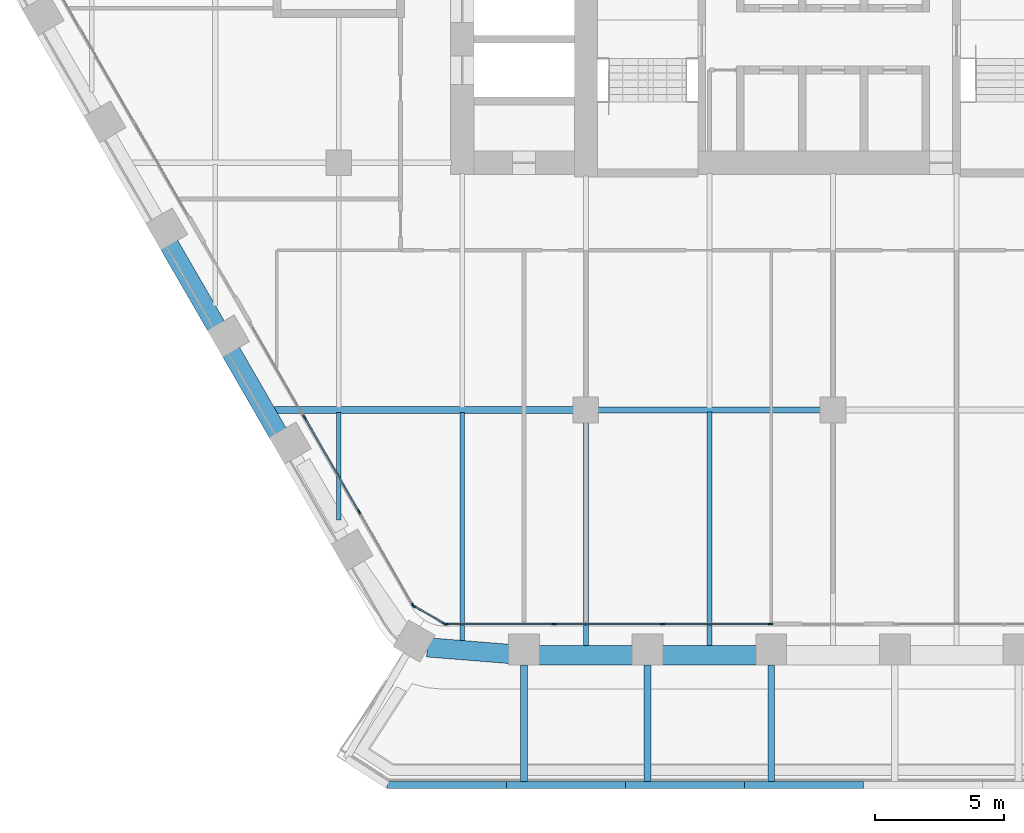
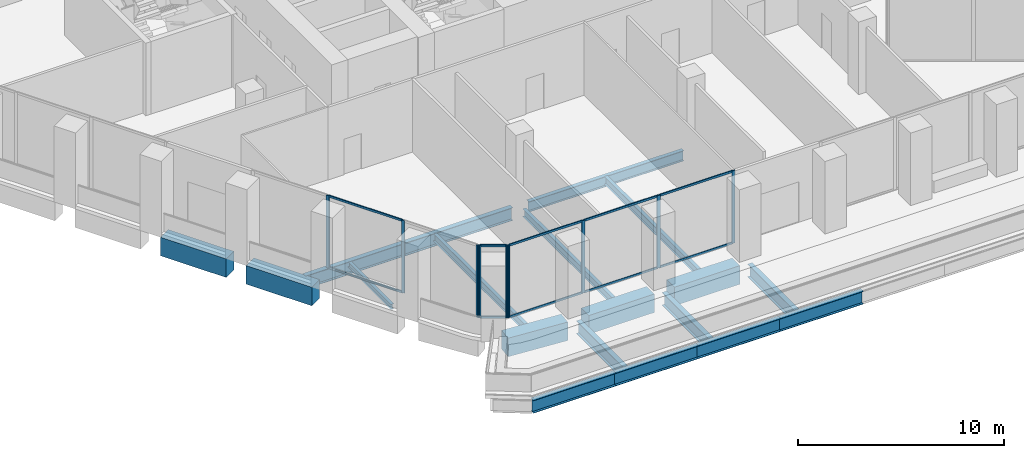
# One storey, part 2 of 25: 19 members, 18 beams, 3 elements without a shape of their own.
"""IFC4 building model written with IfcOpenShell, lengths in metres."""

from ifc_helpers import new_model, si_unit, direction, frame, origin, origin_2d, place, context, subcontext, project, spatial, rectangle, i_section, extrude, material, material_profile, profile_set, type_object, element, aggregate, save


model = new_model("IFC4")

# Units and contexts
model_context = context("Model", 3, precision=1e-05, world=origin(), true_north=direction((0.0, 1.0)))
body_context = subcontext(model_context, "Body", "Model", "MODEL_VIEW")
ifc_project = project(units=[si_unit("LENGTHUNIT", "METRE"), si_unit("AREAUNIT", "SQUARE_METRE"), si_unit("VOLUMEUNIT", "CUBIC_METRE"), si_unit("PLANEANGLEUNIT", "RADIAN"), si_unit("MASSUNIT", "GRAM", prefix="KILO")], contexts=[model_context])

# Site, building, storey
site_placement = place(None, origin())
site = spatial("IfcSite", under=ifc_project, at=site_placement, CompositionType="ELEMENT")
building_placement = place(site_placement, origin())
building = spatial("IfcBuilding", under=site, at=building_placement, Name="Kolab Exchange Tower", CompositionType="ELEMENT")
storey_placement = place(building_placement, frame((0.0, 0.0, 91.39990234375)))
storey = spatial("IfcBuildingStorey", under=building, at=storey_placement, Name="L17", CompositionType="ELEMENT", Elevation=91.39990234375)

# Beams
ifc_material_1 = material(Name="Steel S355", Category="steel")
ifc_material_profile_1 = material_profile(ifc_material_1, i_section(OverallWidth=0.1650390625, OverallDepth=0.31005859375, WebThickness=0.005859375, FlangeThickness=0.009765625, at=origin_2d()), Name="W310X39")
ifc_profile_set_1 = profile_set([ifc_material_profile_1], Name="Steel S355")
beam_type_1 = type_object("IfcBeamType", Name="FLOOR BEAM W310X39", PredefinedType="BEAM", material=ifc_profile_set_1)
beam_1_placement = place(storey_placement, frame((-19.199951171875, -23.4814453125, -0.35498046875), z_axis=(0.0, 1.0, 0.0), x_axis=(-1.0, 0.0, 0.0)))
element("IfcBeam", 1, at=beam_1_placement, inside=storey, type_object=beam_type_1, Name="beam/L17/fr/006", PredefinedType="BEAM", context=body_context, shape_type="SweptSolid", body=[
    extrude(i_section(OverallWidth=0.1650390625, OverallDepth=0.31005859375, WebThickness=0.005859375, FlangeThickness=0.009765625, at=origin_2d()), origin(), (0.0, 0.0, 1.0), 4.18798828125),
])
ifc_material_profile_2 = material_profile(ifc_material_1, i_section(OverallWidth=0.18994140625, OverallDepth=0.45703125, WebThickness=0.009033203125, FlangeThickness=0.014404296875, at=origin_2d()), Name="W460X74")
ifc_profile_set_2 = profile_set([ifc_material_profile_2], Name="Steel S355")
beam_type_2 = type_object("IfcBeamType", Name="FLOOR BEAM W460X74", PredefinedType="BEAM", material=ifc_profile_set_2)
beam_2_placement = place(storey_placement, frame((-14.39990234375, -28.194580078125, -0.428466796875), z_axis=(0.0, 1.0, 0.0), x_axis=(-1.0, 0.0, 0.0)))
element("IfcBeam", 2, at=beam_2_placement, inside=storey, type_object=beam_type_2, Name="beam/L17/fr/012", PredefinedType="BEAM", context=body_context, shape_type="SweptSolid", body=[
    extrude(i_section(OverallWidth=0.18994140625, OverallDepth=0.45703125, WebThickness=0.009033203125, FlangeThickness=0.014404296875, at=origin_2d()), origin(), (0.0, 0.0, 1.0), 8.901123046875),
])
beam_3_placement = place(storey_placement, frame((-9.60009765625, -28.388427734375, -0.428466796875), z_axis=(0.0, 1.0, 0.0), x_axis=(-1.0, 0.0, 0.0)))
element("IfcBeam", 3, at=beam_3_placement, inside=storey, type_object=beam_type_2, Name="beam/L17/fr/016", PredefinedType="BEAM", context=body_context, shape_type="SweptSolid", body=[
    extrude(i_section(OverallWidth=0.18994140625, OverallDepth=0.45703125, WebThickness=0.009033203125, FlangeThickness=0.014404296875, at=origin_2d()), origin(), (0.0, 0.0, 1.0), 8.728515625),
])
beam_4_placement = place(storey_placement, frame((-4.800048828125, -28.388427734375, -0.428466796875), z_axis=(0.0, 1.0, 0.0), x_axis=(-1.0, 0.0, 0.0)))
element("IfcBeam", 4, at=beam_4_placement, inside=storey, type_object=beam_type_2, Name="beam/L17/fr/020", PredefinedType="BEAM", context=body_context, shape_type="SweptSolid", body=[
    extrude(i_section(OverallWidth=0.18994140625, OverallDepth=0.45703125, WebThickness=0.009033203125, FlangeThickness=0.014404296875, at=origin_2d()), origin(), (0.0, 0.0, 1.0), 9.114501953125),
])
ifc_material_profile_3 = material_profile(ifc_material_1, i_section(OverallWidth=0.22802734375, OverallDepth=0.60791015625, WebThickness=0.01123046875, FlangeThickness=0.017333984375, at=origin_2d()), Name="W610X113")
ifc_profile_set_3 = profile_set([ifc_material_profile_3], Name="Steel S355")
beam_type_3 = type_object("IfcBeamType", Name="FLOOR GIRDER W610X113", PredefinedType="BEAM", material=ifc_profile_set_3)
beam_5_placement = place(storey_placement, frame((-9.139892578125, -19.199951171875, -0.50390625), z_axis=(1.0, 0.0, 0.0), x_axis=(0.0, 1.0, 0.0)))
element("IfcBeam", 5, at=beam_5_placement, inside=storey, type_object=beam_type_3, Name="beam/L17/gd/008", PredefinedType="BEAM", context=body_context, shape_type="SweptSolid", body=[
    extrude(i_section(OverallWidth=0.22802734375, OverallDepth=0.60791015625, WebThickness=0.01123046875, FlangeThickness=0.017333984375, at=origin_2d()), origin(), (0.0, 0.0, 1.0), 8.679931640625),
])
ifc_material_profile_4 = material_profile(ifc_material_1, i_section(OverallWidth=0.26708984375, OverallDepth=0.761962890625, WebThickness=0.014404296875, FlangeThickness=0.021484375, at=origin_2d()), Name="W760X173")
ifc_profile_set_4 = profile_set([ifc_material_profile_4], Name="Steel S355")
beam_type_4 = type_object("IfcBeamType", Name="FLOOR GIRDER W760X173", PredefinedType="BEAM", material=ifc_profile_set_4)
beam_6_placement = place(storey_placement, frame((-21.688720703125, -19.199951171875, -0.580810546875), z_axis=(1.0, 0.0, 0.0), x_axis=(0.0, 1.0, 0.0)))
element("IfcBeam", 6, at=beam_6_placement, inside=storey, type_object=beam_type_4, Name="beam/L17/gd/003", PredefinedType="BEAM", context=body_context, shape_type="SweptSolid", body=[
    extrude(i_section(OverallWidth=0.26708984375, OverallDepth=0.761962890625, WebThickness=0.014404296875, FlangeThickness=0.021484375, at=origin_2d()), origin(), (0.0, 0.0, 1.0), 11.628662109375),
])
for number, where, z_axis, x_axis, name in (
    (7, (-2.39990234375, -29.098388671875, -0.640869140625), (0.0, -1.0, 0.0), (1.0, 0.0, 0.0), "beam/L17/ledge/rib-11"),
    (8, (-7.199951171875, -29.098388671875, -0.640869140625), (0.0, -1.0, 0.0), (1.0, 0.0, 0.0), "beam/L17/ledge/rib-12"),
    (9, (-12.0, -29.098388671875, -0.640869140625), (0.0, -1.0, 0.0), (1.0, 0.0, 0.0), "beam/L17/ledge/rib-13"),
):
    element("IfcBeam", number, at=place(storey_placement, frame(where, z_axis=z_axis, x_axis=x_axis)), inside=storey, type_object=beam_type_4, Name=name, PredefinedType="BEAM", context=body_context, shape_type="SweptSolid", body=[
        extrude(i_section(OverallWidth=0.26708984375, OverallDepth=0.761962890625, WebThickness=0.014404296875, FlangeThickness=0.021484375, at=origin_2d()), origin(), (0.0, 0.0, 1.0), 4.533203125),
    ])
beam_7_placement = place(storey_placement, frame((1.180908203125, -33.764892578125, -0.640869140625), z_axis=(-1.0, 0.0, 0.0), x_axis=(0.0, -1.0, 0.0)))
element("IfcBeam", 10, at=beam_7_placement, inside=storey, type_object=beam_type_4, Name="beam/L17/ledge/edge-13", PredefinedType="BEAM", context=body_context, shape_type="SweptSolid", body=[
    extrude(i_section(OverallWidth=0.26708984375, OverallDepth=0.761962890625, WebThickness=0.014404296875, FlangeThickness=0.021484375, at=origin_2d()), origin(), (0.0, 0.0, 1.0), 4.623291015625),
])
beam_8_placement = place(storey_placement, frame((-3.4423828125, -33.764892578125, -0.640869140625), z_axis=(-1.0, 0.0, 0.0), x_axis=(0.0, -1.0, 0.0)))
element("IfcBeam", 11, at=beam_8_placement, inside=storey, type_object=beam_type_4, Name="beam/L17/ledge/edge-14", PredefinedType="BEAM", context=body_context, shape_type="SweptSolid", body=[
    extrude(i_section(OverallWidth=0.26708984375, OverallDepth=0.761962890625, WebThickness=0.014404296875, FlangeThickness=0.021484375, at=origin_2d()), origin(), (0.0, 0.0, 1.0), 4.623046875),
])
beam_9_placement = place(storey_placement, frame((-8.0654296875, -33.764892578125, -0.640869140625), z_axis=(-1.0, 0.0, 0.0), x_axis=(0.0, -1.0, 0.0)))
element("IfcBeam", 12, at=beam_9_placement, inside=storey, type_object=beam_type_4, Name="beam/L17/ledge/edge-15", PredefinedType="BEAM", context=body_context, shape_type="SweptSolid", body=[
    extrude(i_section(OverallWidth=0.26708984375, OverallDepth=0.761962890625, WebThickness=0.014404296875, FlangeThickness=0.021484375, at=origin_2d()), origin(), (0.0, 0.0, 1.0), 4.623291015625),
])
beam_10_placement = place(storey_placement, frame((-12.688720703125, -33.764892578125, -0.640869140625), z_axis=(-1.0, 0.0, 0.0), x_axis=(0.0, -1.0, 0.0)))
element("IfcBeam", 13, at=beam_10_placement, inside=storey, type_object=beam_type_4, Name="beam/L17/ledge/edge-16", PredefinedType="BEAM", context=body_context, shape_type="SweptSolid", body=[
    extrude(i_section(OverallWidth=0.26708984375, OverallDepth=0.761962890625, WebThickness=0.014404296875, FlangeThickness=0.021484375, at=origin_2d()), origin(), (0.0, 0.0, 1.0), 4.623046875),
])
ifc_material_2 = material(Name="Concrete C70/85", Category="concrete")
ifc_material_profile_5 = material_profile(ifc_material_2, rectangle(XDim=0.75, YDim=1.10009765625, at=origin_2d()), Name="RC750X1100")
ifc_profile_set_5 = profile_set([ifc_material_profile_5], Name="Concrete C70/85")
beam_type_5 = type_object("IfcBeamType", Name="SPANDREL BEAM 750X1100 C70/85", PredefinedType="BEAM", material=ifc_profile_set_5)
for number, where, z_axis, x_axis, name in (
    (14, (-2.9599609375, -28.723388671875, -0.75), (-1.0, 0.0, 0.0), (0.0, -1.0, 0.0), "beam/L17/sp/F4-05"),
    (15, (-7.760009765625, -28.723388671875, -0.75), (-1.0, 0.0, 0.0), (0.0, -1.0, 0.0), "beam/L17/sp/F4-06"),
):
    element("IfcBeam", number, at=place(storey_placement, frame(where, z_axis=z_axis, x_axis=x_axis)), inside=storey, type_object=beam_type_5, Name=name, PredefinedType="BEAM", context=body_context, shape_type="SweptSolid", body=[
        extrude(rectangle(XDim=0.75, YDim=1.10009765625, at=origin_2d()), origin(), (0.0, 0.0, 1.0), 3.679931640625),
    ])
beam_11_placement = place(storey_placement, frame((-12.56005859375, -28.678466796875, -0.75), z_axis=(-0.996791038408, 0.080047646748, 0.0), x_axis=(-0.080047646748, -0.996791038408, 0.0)))
element("IfcBeam", 16, at=beam_11_placement, inside=storey, type_object=beam_type_5, Name="beam/L17/sp/F4-07", PredefinedType="BEAM", context=body_context, shape_type="SweptSolid", body=[
    extrude(rectangle(XDim=0.75, YDim=1.10009765625, at=origin_2d()), origin(), (0.0, 0.0, 1.0), 3.20849609375),
])
beam_12_placement = place(storey_placement, frame((-21.55517578125, -20.112060546875, -0.75), z_axis=(-0.500013413428, 0.866017659399, 0.0), x_axis=(-0.866017659399, -0.500013413428, 0.0)))
element("IfcBeam", 17, at=beam_12_placement, inside=storey, type_object=beam_type_5, Name="beam/L17/sp/F5-03", PredefinedType="BEAM", context=body_context, shape_type="SweptSolid", body=[
    extrude(rectangle(XDim=0.75, YDim=1.10009765625, at=origin_2d()), origin(), (0.0, 0.0, 1.0), 3.68017578125),
])
beam_13_placement = place(storey_placement, frame((-23.955322265625, -15.955322265625, -0.75), z_axis=(-0.499963655964, 0.866046386007, 0.0), x_axis=(-0.866046386007, -0.499963655964, 0.0)))
element("IfcBeam", 18, at=beam_13_placement, inside=storey, type_object=beam_type_5, Name="beam/L17/sp/F5-04", PredefinedType="BEAM", context=body_context, shape_type="SweptSolid", body=[
    extrude(rectangle(XDim=0.75, YDim=1.10009765625, at=origin_2d()), origin(), (0.0, 0.0, 1.0), 3.679931640625),
])

# Curtain wall, members
ifc_material_3 = material(Name="Aluminium EN AW-6063 T6", Category="aluminium")
curtain_wall_type = type_object("IfcCurtainWallType", Name="UNITISED LOWER MID ZONE CURTAIN WALL", PredefinedType="NOTDEFINED", material=ifc_material_3)
curtain_wall_1_placement = place(storey_placement, origin())
curtain_wall_1 = element("IfcCurtainWall", 19, at=curtain_wall_1_placement, inside=storey, type_object=curtain_wall_type, Name="cw/L17/F4-2", PredefinedType="NOTDEFINED")
ifc_material_profile_6 = material_profile(ifc_material_3, rectangle(XDim=0.06005859375, YDim=0.179931640625, at=origin_2d()), Name="RECT 60X180")
ifc_profile_set_6 = profile_set([ifc_material_profile_6], Name="Aluminium EN AW-6063 T6")
member_type_1 = type_object("IfcMemberType", Name="UNITISED LOWER MID ZONE MULLION 60 X 180", PredefinedType="MULLION", material=ifc_profile_set_6)
member_1_placement = place(storey_placement, frame((-2.429931640625, -27.5185546875, 0.0), z_axis=(0.0, 0.0, 1.0), x_axis=(0.0, -1.0, 0.0)))
member_1 = element("IfcMember", 20, at=member_1_placement, type_object=member_type_1, Name="CW2 mullion 1", PredefinedType="MULLION", context=body_context, shape_type="SweptSolid", body=[
    extrude(rectangle(XDim=0.06005859375, YDim=0.179931640625, at=origin_2d()), origin(), (0.0, 0.0, 1.0), 4.300048828125),
])
member_2_placement = place(storey_placement, frame((-6.62255859375, -27.5185546875, 0.0), z_axis=(0.0, 0.0, 1.0), x_axis=(0.0, -1.0, 0.0)))
member_2 = element("IfcMember", 21, at=member_2_placement, type_object=member_type_1, Name="CW2 mullion 2", PredefinedType="MULLION", context=body_context, shape_type="SweptSolid", body=[
    extrude(rectangle(XDim=0.06005859375, YDim=0.179931640625, at=origin_2d()), origin(), (0.0, 0.0, 1.0), 4.300048828125),
])
member_3_placement = place(storey_placement, frame((-10.84521484375, -27.5185546875, 0.0), z_axis=(0.0, 0.0, 1.0), x_axis=(0.0, -1.0, 0.0)))
member_3 = element("IfcMember", 22, at=member_3_placement, type_object=member_type_1, Name="CW2 mullion 3", PredefinedType="MULLION", context=body_context, shape_type="SweptSolid", body=[
    extrude(rectangle(XDim=0.06005859375, YDim=0.179931640625, at=origin_2d()), origin(), (0.0, 0.0, 1.0), 4.300048828125),
])
member_4_placement = place(storey_placement, frame((-15.037841796875, -27.5185546875, 0.0), z_axis=(0.0, 0.0, 1.0), x_axis=(0.0, -1.0, 0.0)))
member_4 = element("IfcMember", 23, at=member_4_placement, type_object=member_type_1, Name="CW2 mullion 4", PredefinedType="MULLION", context=body_context, shape_type="SweptSolid", body=[
    extrude(rectangle(XDim=0.06005859375, YDim=0.179931640625, at=origin_2d()), origin(), (0.0, 0.0, 1.0), 4.300048828125),
])

curtain_wall_2_placement = place(storey_placement, origin())
curtain_wall_2 = element("IfcCurtainWall", 24, at=curtain_wall_2_placement, inside=storey, type_object=curtain_wall_type, Name="cw/L17/F5-1", PredefinedType="NOTDEFINED")
member_5_placement = place(storey_placement, frame((-16.312744140625, -26.782470703125, 0.0), z_axis=(0.0, 0.0, 1.0), x_axis=(-0.866025393644, -0.500000017564, 0.0)))
member_5 = element("IfcMember", 25, at=member_5_placement, type_object=member_type_1, Name="CW2 mullion 1", PredefinedType="MULLION", context=body_context, shape_type="SweptSolid", body=[
    extrude(rectangle(XDim=0.06005859375, YDim=0.179931640625, at=origin_2d()), origin(), (0.0, 0.0, 1.0), 4.300048828125),
])
member_6_placement = place(storey_placement, frame((-18.408935546875, -23.151611328125, 0.0), z_axis=(0.0, 0.0, 1.0), x_axis=(-0.866025393644, -0.500000017564, 0.0)))
member_6 = element("IfcMember", 26, at=member_6_placement, type_object=member_type_1, Name="CW2 mullion 2", PredefinedType="MULLION", context=body_context, shape_type="SweptSolid", body=[
    extrude(rectangle(XDim=0.06005859375, YDim=0.179931640625, at=origin_2d()), origin(), (0.0, 0.0, 1.0), 4.300048828125),
])
member_7_placement = place(storey_placement, frame((-20.520263671875, -19.49462890625, 0.0), z_axis=(0.0, 0.0, 1.0), x_axis=(-0.866025393644, -0.500000017564, 0.0)))
member_7 = element("IfcMember", 27, at=member_7_placement, type_object=member_type_1, Name="CW2 mullion 3", PredefinedType="MULLION", context=body_context, shape_type="SweptSolid", body=[
    extrude(rectangle(XDim=0.06005859375, YDim=0.179931640625, at=origin_2d()), origin(), (0.0, 0.0, 1.0), 4.300048828125),
])

curtain_wall_3_placement = place(storey_placement, origin())
curtain_wall_3 = element("IfcCurtainWall", 28, at=curtain_wall_3_placement, inside=storey, type_object=curtain_wall_type, Name="cw/L17/F4F5-corner", PredefinedType="NOTDEFINED")
member_8_placement = place(storey_placement, frame((-15.093994140625, -27.50341796875, 0.0), z_axis=(0.0, 0.0, 1.0), x_axis=(-0.50000002237, -0.866025390869, 0.0)))
member_8 = element("IfcMember", 29, at=member_8_placement, type_object=member_type_1, Name="CW2 mullion 1", PredefinedType="MULLION", context=body_context, shape_type="SweptSolid", body=[
    extrude(rectangle(XDim=0.06005859375, YDim=0.179931640625, at=origin_2d()), origin(), (0.0, 0.0, 1.0), 4.300048828125),
])
member_9_placement = place(storey_placement, frame((-16.271728515625, -26.823486328125, 0.0), z_axis=(0.0, 0.0, 1.0), x_axis=(-0.50000002237, -0.866025390869, 0.0)))
member_9 = element("IfcMember", 30, at=member_9_placement, type_object=member_type_1, Name="CW2 mullion 2", PredefinedType="MULLION", context=body_context, shape_type="SweptSolid", body=[
    extrude(rectangle(XDim=0.06005859375, YDim=0.179931640625, at=origin_2d()), origin(), (0.0, 0.0, 1.0), 4.300048828125),
])

# Member
ifc_material_profile_7 = material_profile(ifc_material_3, rectangle(XDim=0.06005859375, YDim=0.1201171875, at=origin_2d()), Name="RECT 60X120")
ifc_profile_set_7 = profile_set([ifc_material_profile_7], Name="Aluminium EN AW-6063 T6")
member_type_2 = type_object("IfcMemberType", Name="UNITISED LOWER MID ZONE TRANSOM 60 X 120", PredefinedType="USERDEFINED", material=ifc_profile_set_7)
member_10_placement = place(storey_placement, frame((-2.4599609375, -27.5185546875, 0.030029296875), z_axis=(-1.0, 0.0, 0.0), x_axis=(0.0, -1.0, 0.0)))
member_10 = element("IfcMember", 31, at=member_10_placement, type_object=member_type_2, Name="CW2 transom 1.1", ObjectType="TRANSOM", PredefinedType="USERDEFINED", context=body_context, shape_type="SweptSolid", body=[
    extrude(rectangle(XDim=0.06005859375, YDim=0.1201171875, at=origin_2d()), origin(), (0.0, 0.0, 1.0), 4.132568359375),
])

member_11_placement = place(storey_placement, frame((-2.4599609375, -27.5185546875, 4.27001953125), z_axis=(-1.0, 0.0, 0.0), x_axis=(0.0, -1.0, 0.0)))
member_11 = element("IfcMember", 32, at=member_11_placement, type_object=member_type_2, Name="CW2 transom 1.2", ObjectType="TRANSOM", PredefinedType="USERDEFINED", context=body_context, shape_type="SweptSolid", body=[
    extrude(rectangle(XDim=0.06005859375, YDim=0.1201171875, at=origin_2d()), origin(), (0.0, 0.0, 1.0), 4.132568359375),
])

member_12_placement = place(storey_placement, frame((-6.652587890625, -27.5185546875, 0.030029296875), z_axis=(-1.0, 0.0, 0.0), x_axis=(0.0, -1.0, 0.0)))
member_12 = element("IfcMember", 33, at=member_12_placement, type_object=member_type_2, Name="CW2 transom 2.1", ObjectType="TRANSOM", PredefinedType="USERDEFINED", context=body_context, shape_type="SweptSolid", body=[
    extrude(rectangle(XDim=0.06005859375, YDim=0.1201171875, at=origin_2d()), origin(), (0.0, 0.0, 1.0), 4.16259765625),
])

member_13_placement = place(storey_placement, frame((-6.652587890625, -27.5185546875, 4.27001953125), z_axis=(-1.0, 0.0, 0.0), x_axis=(0.0, -1.0, 0.0)))
member_13 = element("IfcMember", 34, at=member_13_placement, type_object=member_type_2, Name="CW2 transom 2.2", ObjectType="TRANSOM", PredefinedType="USERDEFINED", context=body_context, shape_type="SweptSolid", body=[
    extrude(rectangle(XDim=0.06005859375, YDim=0.1201171875, at=origin_2d()), origin(), (0.0, 0.0, 1.0), 4.16259765625),
])

member_14_placement = place(storey_placement, frame((-10.875244140625, -27.5185546875, 0.030029296875), z_axis=(-1.0, 0.0, 0.0), x_axis=(0.0, -1.0, 0.0)))
member_14 = element("IfcMember", 35, at=member_14_placement, type_object=member_type_2, Name="CW2 transom 3.1", ObjectType="TRANSOM", PredefinedType="USERDEFINED", context=body_context, shape_type="SweptSolid", body=[
    extrude(rectangle(XDim=0.06005859375, YDim=0.1201171875, at=origin_2d()), origin(), (0.0, 0.0, 1.0), 4.1328125),
])

member_15_placement = place(storey_placement, frame((-10.875244140625, -27.5185546875, 4.27001953125), z_axis=(-1.0, 0.0, 0.0), x_axis=(0.0, -1.0, 0.0)))
member_15 = element("IfcMember", 36, at=member_15_placement, type_object=member_type_2, Name="CW2 transom 3.2", ObjectType="TRANSOM", PredefinedType="USERDEFINED", context=body_context, shape_type="SweptSolid", body=[
    extrude(rectangle(XDim=0.06005859375, YDim=0.1201171875, at=origin_2d()), origin(), (0.0, 0.0, 1.0), 4.1328125),
])

aggregate(curtain_wall_1, [member_1, member_2, member_3, member_4, member_10, member_11, member_12, member_13, member_14, member_15])

member_16_placement = place(storey_placement, frame((-18.424072265625, -23.12548828125, 0.030029296875), z_axis=(-0.49999322259, 0.866029316688, 0.0), x_axis=(-0.866029316688, -0.49999322259, 0.0)))
member_16 = element("IfcMember", 37, at=member_16_placement, type_object=member_type_2, Name="CW2 transom 2.1", ObjectType="TRANSOM", PredefinedType="USERDEFINED", context=body_context, shape_type="SweptSolid", body=[
    extrude(rectangle(XDim=0.06005859375, YDim=0.1201171875, at=origin_2d()), origin(), (0.0, 0.0, 1.0), 4.16259765625),
])

member_17_placement = place(storey_placement, frame((-18.424072265625, -23.12548828125, 4.27001953125), z_axis=(-0.49999322259, 0.866029316688, 0.0), x_axis=(-0.866029316688, -0.49999322259, 0.0)))
member_17 = element("IfcMember", 38, at=member_17_placement, type_object=member_type_2, Name="CW2 transom 2.2", ObjectType="TRANSOM", PredefinedType="USERDEFINED", context=body_context, shape_type="SweptSolid", body=[
    extrude(rectangle(XDim=0.06005859375, YDim=0.1201171875, at=origin_2d()), origin(), (0.0, 0.0, 1.0), 4.16259765625),
])

aggregate(curtain_wall_2, [member_5, member_6, member_7, member_16, member_17])

member_18_placement = place(storey_placement, frame((-15.119873046875, -27.488525390625, 0.030029296875), z_axis=(-0.866004217611, 0.500036693733, 0.0), x_axis=(-0.500036693733, -0.866004217611, 0.0)))
member_18 = element("IfcMember", 39, at=member_18_placement, type_object=member_type_2, Name="CW2 transom 1.1", ObjectType="TRANSOM", PredefinedType="USERDEFINED", context=body_context, shape_type="SweptSolid", body=[
    extrude(rectangle(XDim=0.06005859375, YDim=0.1201171875, at=origin_2d()), origin(), (0.0, 0.0, 1.0), 1.30029296875),
])

member_19_placement = place(storey_placement, frame((-15.119873046875, -27.488525390625, 4.27001953125), z_axis=(-0.866004217611, 0.500036693733, 0.0), x_axis=(-0.500036693733, -0.866004217611, 0.0)))
member_19 = element("IfcMember", 40, at=member_19_placement, type_object=member_type_2, Name="CW2 transom 1.2", ObjectType="TRANSOM", PredefinedType="USERDEFINED", context=body_context, shape_type="SweptSolid", body=[
    extrude(rectangle(XDim=0.06005859375, YDim=0.1201171875, at=origin_2d()), origin(), (0.0, 0.0, 1.0), 1.30029296875),
])

aggregate(curtain_wall_3, [member_8, member_9, member_18, member_19])

save(model, "model.ifc")
